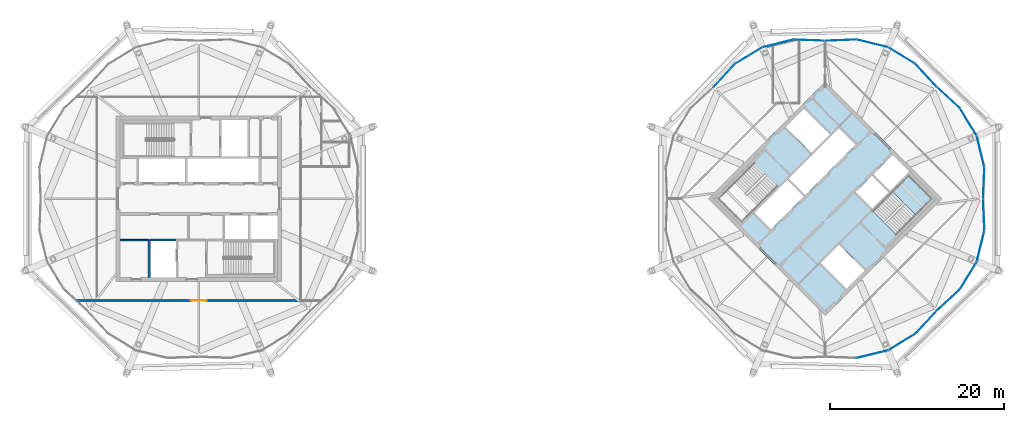
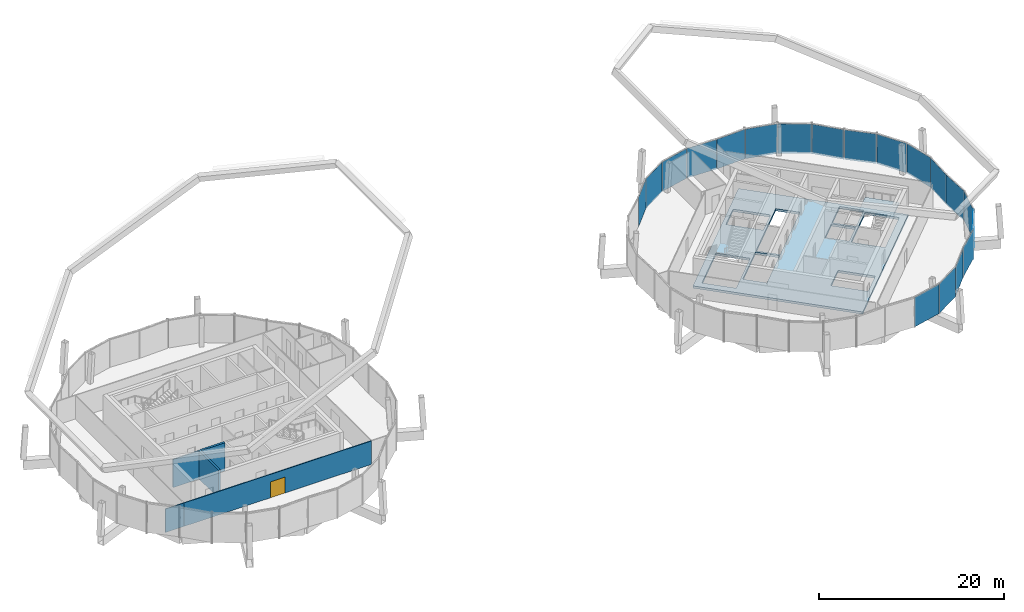
# One storey, part 27 of 34: 19 plates, 5 walls, 2 slabs, 1 door, 1 opening, 7 elements without a shape of their own.
"""IFC4 building model written with IfcOpenShell, lengths in metres."""

from ifc_helpers import new_model, si_unit, direction, frame, frame_2d, origin, origin_2d, place, context, subcontext, project, spatial, polyline, rectangle, outline, extrude, material, layer, layer_set, type_object, element, fill, aggregate, save


model = new_model("IFC4")

# Units and contexts
model_context = context("Model", 3, precision=1e-05, world=origin(), true_north=direction((0.0, 1.0)))
body_context = subcontext(model_context, "Body", "Model", "MODEL_VIEW")
ifc_project = project(units=[si_unit("LENGTHUNIT", "METRE"), si_unit("AREAUNIT", "SQUARE_METRE"), si_unit("VOLUMEUNIT", "CUBIC_METRE"), si_unit("PLANEANGLEUNIT", "RADIAN"), si_unit("MASSUNIT", "GRAM", prefix="KILO")], contexts=[model_context])

# Site, building, storey
site_placement = place(None, origin())
site = spatial("IfcSite", under=ifc_project, at=site_placement, CompositionType="ELEMENT")
building_placement = place(site_placement, origin())
building = spatial("IfcBuilding", under=site, at=building_placement, Name="Ogive Gate Towers", CompositionType="ELEMENT")
storey_placement = place(building_placement, frame((0.0, 0.0, 294.0)))
storey = spatial("IfcBuildingStorey", under=building, at=storey_placement, Name="L69", CompositionType="ELEMENT", Elevation=294.0)

# Slab
ifc_material_1 = material(Name="Concrete C40/50", Category="concrete")
ifc_layer_1 = layer(ifc_material_1, 0.300048828125)
ifc_layer_set_1 = layer_set([ifc_layer_1], Name="Core slab C40/50 300 mm")
slab_type_1 = type_object("IfcSlabType", Name="Core slab C40/50 300 mm", PredefinedType="FLOOR", material=ifc_layer_set_1)
slab_1_placement = place(storey_placement, frame((0.0, 0.0, -0.300048828125)))
element("IfcSlab", 1, at=slab_1_placement, inside=storey, type_object=slab_type_1, Name="T2 L69 core slab", PredefinedType="FLOOR", context=body_context, shape_type="SweptSolid", body=[
    extrude(outline(polyline([(36.0, -13.43505859375), (22.56494140625, 0.0), (36.0, 13.43505859375), (49.43505859375, 0.0), (36.0, -13.43505859375)]), holes=[polyline([(29.777587890625, -3.500244140625), (33.525146484375, 0.24755859375), (31.615966796875, 2.15673828125), (27.868408203125, -1.591064453125), (29.777587890625, -3.500244140625)]), polyline([(31.792724609375, 2.33349609375), (33.701904296875, 0.42431640625), (39.500244140625, 6.222412109375), (37.591064453125, 8.131591796875), (31.792724609375, 2.33349609375)]), polyline([(41.3740234375, 2.651611328125), (39.500244140625, 0.77783203125), (41.409423828125, -1.13134765625), (43.283203125, 0.742431640625), (41.3740234375, 2.651611328125)]), polyline([(45.669677734375, 3.12890625), (43.760498046875, 5.0380859375), (41.55078125, 2.828369140625), (43.4599609375, 0.919189453125), (45.669677734375, 3.12890625)]), polyline([(34.408935546875, 5.30322265625), (36.4951171875, 7.389404296875), (33.542724609375, 10.34130859375), (31.456787109375, 8.255615234375), (34.408935546875, 5.30322265625)]), polyline([(35.5048828125, -7.389404296875), (38.457275390625, -10.34130859375), (40.543212890625, -8.255615234375), (37.591064453125, -5.30322265625), (35.5048828125, -7.389404296875)]), polyline([(26.40087890625, -2.70458984375), (30.512939453125, 1.406982421875), (27.80810546875, 4.11181640625), (23.6962890625, 0.0), (26.40087890625, -2.70458984375)]), polyline([(48.3037109375, 0.0), (45.59912109375, 2.70458984375), (41.487060546875, -1.406982421875), (44.19189453125, -4.11181640625), (48.3037109375, 0.0)])]), origin(), (0.0, 0.0, 1.0), 0.300048828125),
])

# Curtain wall, plates
ifc_material_2 = material(Name="Pale metal aluminium", Category="aluminium")
curtain_wall_type = type_object("IfcCurtainWallType", Name="Crown lean wall", PredefinedType="NOTDEFINED", material=ifc_material_2)
curtain_wall_1_placement = place(storey_placement, origin())
curtain_wall_1 = element("IfcCurtainWall", 2, at=curtain_wall_1_placement, inside=storey, type_object=curtain_wall_type, Name="CW5 T2 ECW01", PredefinedType="NOTDEFINED")
ifc_material_3 = material(Name="Clear glass", Category="glass")
ifc_layer_2 = layer(ifc_material_3, 0.028076171875)
ifc_layer_set_2 = layer_set([ifc_layer_2], Name="Crown lean wall glass panel")
plate_type = type_object("IfcPlateType", Name="Crown lean wall glass panel", PredefinedType="CURTAIN_PANEL", material=ifc_layer_set_2)
plate_1_placement = place(storey_placement, frame((50.17041015625, 11.6064453125, -0.2998046875), z_axis=(0.0, 0.0, 1.0), x_axis=(0.734547567907, -0.678557197649, 0.0)))
plate_1 = element("IfcPlate", 3, at=plate_1_placement, type_object=plate_type, Name="CW5 glass panel", PredefinedType="CURTAIN_PANEL", context=body_context, shape_type="SweptSolid", body=[
    extrude(rectangle(XDim=3.5849609375, YDim=0.028076171875, at=origin_2d()), origin(), (0.0, 0.0, 1.0), 3.904052734375),
])
plate_2_placement = place(storey_placement, frame((52.46337890625, 8.794189453125, -0.2998046875), z_axis=(0.0, 0.0, 1.0), x_axis=(0.51862403999, -0.855002400666, 0.0)))
plate_2 = element("IfcPlate", 4, at=plate_2_placement, type_object=plate_type, Name="CW5 glass panel", PredefinedType="CURTAIN_PANEL", context=body_context, shape_type="SweptSolid", body=[
    extrude(rectangle(XDim=3.639892578125, YDim=0.028076171875, at=origin_2d()), origin(), (0.0, 0.0, 1.0), 3.904052734375),
])
plate_3_placement = place(storey_placement, frame((53.85986328125, 5.4228515625, -0.2998046875), z_axis=(0.0, 0.0, 1.0), x_axis=(0.237872372235, -0.971296419497, 0.0)))
plate_3 = element("IfcPlate", 5, at=plate_3_placement, type_object=plate_type, Name="CW5 glass panel", PredefinedType="CURTAIN_PANEL", context=body_context, shape_type="SweptSolid", body=[
    extrude(rectangle(XDim=3.6396484375, YDim=0.028076171875, at=origin_2d()), origin(), (0.0, 0.0, 1.0), 3.904052734375),
])
plate_4_placement = place(storey_placement, frame((54.22705078125, 1.81298828125, -0.2998046875), z_axis=(0.0, 0.0, 1.0), x_axis=(-0.039608610093, -0.999215271104, 0.0)))
plate_4 = element("IfcPlate", 6, at=plate_4_placement, type_object=plate_type, Name="CW5 glass panel", PredefinedType="CURTAIN_PANEL", context=body_context, shape_type="SweptSolid", body=[
    extrude(rectangle(XDim=3.5849609375, YDim=0.028076171875, at=origin_2d()), origin(), (0.0, 0.0, 1.0), 3.904052734375),
])
aggregate(curtain_wall_1, [plate_1, plate_2, plate_3, plate_4])

curtain_wall_2_placement = place(storey_placement, origin())
curtain_wall_2 = element("IfcCurtainWall", 7, at=curtain_wall_2_placement, inside=storey, type_object=curtain_wall_type, Name="CW5 T2 ECW02", PredefinedType="NOTDEFINED")
plate_5_placement = place(storey_placement, frame((37.81298828125, 18.22705078125, -0.2998046875), z_axis=(0.0, 0.0, 1.0), x_axis=(0.999215271104, 0.039608610093, 0.0)))
plate_5 = element("IfcPlate", 8, at=plate_5_placement, type_object=plate_type, Name="CW5 glass panel", PredefinedType="CURTAIN_PANEL", context=body_context, shape_type="SweptSolid", body=[
    extrude(rectangle(XDim=3.5849609375, YDim=0.028076171875, at=origin_2d()), origin(), (0.0, 0.0, 1.0), 3.904052734375),
])
plate_6_placement = place(storey_placement, frame((41.4228515625, 17.85986328125, -0.2998046875), z_axis=(0.0, 0.0, 1.0), x_axis=(0.971296419497, -0.237872372235, 0.0)))
plate_6 = element("IfcPlate", 9, at=plate_6_placement, type_object=plate_type, Name="CW5 glass panel", PredefinedType="CURTAIN_PANEL", context=body_context, shape_type="SweptSolid", body=[
    extrude(rectangle(XDim=3.6396484375, YDim=0.028076171875, at=origin_2d()), origin(), (0.0, 0.0, 1.0), 3.904052734375),
])
plate_7_placement = place(storey_placement, frame((44.794189453125, 16.46337890625, -0.2998046875), z_axis=(0.0, 0.0, 1.0), x_axis=(0.855002400666, -0.51862403999, 0.0)))
plate_7 = element("IfcPlate", 10, at=plate_7_placement, type_object=plate_type, Name="CW5 glass panel", PredefinedType="CURTAIN_PANEL", context=body_context, shape_type="SweptSolid", body=[
    extrude(rectangle(XDim=3.639892578125, YDim=0.028076171875, at=origin_2d()), origin(), (0.0, 0.0, 1.0), 3.904052734375),
])
plate_8_placement = place(storey_placement, frame((47.6064453125, 14.17041015625, -0.2998046875), z_axis=(0.0, 0.0, 1.0), x_axis=(0.678557197649, -0.734547567907, 0.0)))
plate_8 = element("IfcPlate", 11, at=plate_8_placement, type_object=plate_type, Name="CW5 glass panel", PredefinedType="CURTAIN_PANEL", context=body_context, shape_type="SweptSolid", body=[
    extrude(rectangle(XDim=3.5849609375, YDim=0.028076171875, at=origin_2d()), origin(), (0.0, 0.0, 1.0), 3.904052734375),
])
aggregate(curtain_wall_2, [plate_5, plate_6, plate_7, plate_8])

curtain_wall_3_placement = place(storey_placement, origin())
curtain_wall_3 = element("IfcCurtainWall", 12, at=curtain_wall_3_placement, inside=storey, type_object=curtain_wall_type, Name="CW5 T2 ECW03", PredefinedType="NOTDEFINED")
plate_9_placement = place(storey_placement, frame((24.3935546875, 14.17041015625, -0.2998046875), z_axis=(0.0, 0.0, 1.0), x_axis=(0.678557197649, 0.734547567907, 0.0)))
plate_9 = element("IfcPlate", 13, at=plate_9_placement, type_object=plate_type, Name="CW5 glass panel", PredefinedType="CURTAIN_PANEL", context=body_context, shape_type="SweptSolid", body=[
    extrude(rectangle(XDim=3.5849609375, YDim=0.028076171875, at=origin_2d()), origin(), (0.0, 0.0, 1.0), 3.904052734375),
])
plate_10_placement = place(storey_placement, frame((27.205810546875, 16.46337890625, -0.2998046875), z_axis=(0.0, 0.0, 1.0), x_axis=(0.855002400666, 0.51862403999, 0.0)))
plate_10 = element("IfcPlate", 14, at=plate_10_placement, type_object=plate_type, Name="CW5 glass panel", PredefinedType="CURTAIN_PANEL", context=body_context, shape_type="SweptSolid", body=[
    extrude(rectangle(XDim=3.639892578125, YDim=0.028076171875, at=origin_2d()), origin(), (0.0, 0.0, 1.0), 3.904052734375),
])
plate_11_placement = place(storey_placement, frame((30.5771484375, 17.85986328125, -0.2998046875), z_axis=(0.0, 0.0, 1.0), x_axis=(0.971296419497, 0.237872372235, 0.0)))
plate_11 = element("IfcPlate", 15, at=plate_11_placement, type_object=plate_type, Name="CW5 glass panel", PredefinedType="CURTAIN_PANEL", context=body_context, shape_type="SweptSolid", body=[
    extrude(rectangle(XDim=3.6396484375, YDim=0.028076171875, at=origin_2d()), origin(), (0.0, 0.0, 1.0), 3.904052734375),
])
plate_12_placement = place(storey_placement, frame((34.18701171875, 18.22705078125, -0.2998046875), z_axis=(0.0, 0.0, 1.0), x_axis=(0.999215271104, -0.039608610093, 0.0)))
plate_12 = element("IfcPlate", 16, at=plate_12_placement, type_object=plate_type, Name="CW5 glass panel", PredefinedType="CURTAIN_PANEL", context=body_context, shape_type="SweptSolid", body=[
    extrude(rectangle(XDim=3.5849609375, YDim=0.028076171875, at=origin_2d()), origin(), (0.0, 0.0, 1.0), 3.904052734375),
])
aggregate(curtain_wall_3, [plate_9, plate_10, plate_11, plate_12])

curtain_wall_4_placement = place(storey_placement, origin())
curtain_wall_4 = element("IfcCurtainWall", 17, at=curtain_wall_4_placement, inside=storey, type_object=curtain_wall_type, Name="CW5 T2 ECW07", PredefinedType="NOTDEFINED")
plate_13_placement = place(storey_placement, frame((47.6064453125, -14.17041015625, -0.2998046875), z_axis=(0.0, 0.0, 1.0), x_axis=(-0.678557197649, -0.734547567907, 0.0)))
plate_13 = element("IfcPlate", 18, at=plate_13_placement, type_object=plate_type, Name="CW5 glass panel", PredefinedType="CURTAIN_PANEL", context=body_context, shape_type="SweptSolid", body=[
    extrude(rectangle(XDim=3.5849609375, YDim=0.028076171875, at=origin_2d()), origin(), (0.0, 0.0, 1.0), 3.904052734375),
])
plate_14_placement = place(storey_placement, frame((44.794189453125, -16.46337890625, -0.2998046875), z_axis=(0.0, 0.0, 1.0), x_axis=(-0.855002400666, -0.51862403999, 0.0)))
plate_14 = element("IfcPlate", 19, at=plate_14_placement, type_object=plate_type, Name="CW5 glass panel", PredefinedType="CURTAIN_PANEL", context=body_context, shape_type="SweptSolid", body=[
    extrude(rectangle(XDim=3.639892578125, YDim=0.028076171875, at=origin_2d()), origin(), (0.0, 0.0, 1.0), 3.904052734375),
])
plate_15_placement = place(storey_placement, frame((41.4228515625, -17.85986328125, -0.2998046875), z_axis=(0.0, 0.0, 1.0), x_axis=(-0.971296419497, -0.237872372235, 0.0)))
plate_15 = element("IfcPlate", 20, at=plate_15_placement, type_object=plate_type, Name="CW5 glass panel", PredefinedType="CURTAIN_PANEL", context=body_context, shape_type="SweptSolid", body=[
    extrude(rectangle(XDim=3.6396484375, YDim=0.028076171875, at=origin_2d()), origin(), (0.0, 0.0, 1.0), 3.904052734375),
])
aggregate(curtain_wall_4, [plate_13, plate_14, plate_15])

curtain_wall_5_placement = place(storey_placement, origin())
curtain_wall_5 = element("IfcCurtainWall", 21, at=curtain_wall_5_placement, inside=storey, type_object=curtain_wall_type, Name="CW5 T2 ECW08", PredefinedType="NOTDEFINED")
plate_16_placement = place(storey_placement, frame((53.8603515625, -5.4208984375, -0.2998046875), z_axis=(0.0, 0.0, 1.0), x_axis=(-0.237872372235, -0.971296419497, 0.0)))
plate_16 = element("IfcPlate", 22, at=plate_16_placement, type_object=plate_type, Name="CW5 glass panel", PredefinedType="CURTAIN_PANEL", context=body_context, shape_type="SweptSolid", body=[
    extrude(rectangle(XDim=3.643798828125, YDim=0.028076171875, at=origin_2d()), origin(), (0.0, 0.0, 1.0), 3.904052734375),
])
plate_17_placement = place(storey_placement, frame((52.46337890625, -8.794189453125, -0.2998046875), z_axis=(0.0, 0.0, 1.0), x_axis=(-0.51862403999, -0.855002400666, 0.0)))
plate_17 = element("IfcPlate", 23, at=plate_17_placement, type_object=plate_type, Name="CW5 glass panel", PredefinedType="CURTAIN_PANEL", context=body_context, shape_type="SweptSolid", body=[
    extrude(rectangle(XDim=3.639892578125, YDim=0.028076171875, at=origin_2d()), origin(), (0.0, 0.0, 1.0), 3.904052734375),
])
plate_18_placement = place(storey_placement, frame((50.17041015625, -11.6064453125, -0.2998046875), z_axis=(0.0, 0.0, 1.0), x_axis=(-0.734547567907, -0.678557197649, 0.0)))
plate_18 = element("IfcPlate", 24, at=plate_18_placement, type_object=plate_type, Name="CW5 glass panel", PredefinedType="CURTAIN_PANEL", context=body_context, shape_type="SweptSolid", body=[
    extrude(rectangle(XDim=3.5849609375, YDim=0.028076171875, at=origin_2d()), origin(), (0.0, 0.0, 1.0), 3.904052734375),
])
aggregate(curtain_wall_5, [plate_16, plate_17, plate_18])

# Curtain wall, plate
curtain_wall_6_placement = place(storey_placement, origin())
curtain_wall_6 = element("IfcCurtainWall", 25, at=curtain_wall_6_placement, inside=storey, type_object=curtain_wall_type, Name="CW5 T2 ECW08b", PredefinedType="NOTDEFINED")
plate_19_placement = place(storey_placement, frame((54.22705078125, -1.81494140625, -0.2998046875), z_axis=(0.0, 0.0, 1.0), x_axis=(0.039608610093, -0.999215271104, 0.0)))
plate_19 = element("IfcPlate", 26, at=plate_19_placement, type_object=plate_type, Name="CW5 glass panel", PredefinedType="CURTAIN_PANEL", context=body_context, shape_type="SweptSolid", body=[
    extrude(rectangle(XDim=3.5888671875, YDim=0.028076171875, at=origin_2d()), origin(), (0.0, 0.0, 1.0), 3.904052734375),
])
aggregate(curtain_wall_6, [plate_19])

# Stair, slab
stair_type = type_object("IfcStairType", Name="Escape stair 1840 wide", PredefinedType="HALF_TURN_STAIR", material=ifc_material_1)
stair_placement = place(storey_placement, origin())
stair = element("IfcStair", 27, at=stair_placement, inside=storey, type_object=stair_type, Name="L69 Escape stair 2", PredefinedType="HALF_TURN_STAIR")
ifc_layer_3 = layer(ifc_material_1, 0.199951171875)
ifc_layer_set_3 = layer_set([ifc_layer_3], Name="Stair landing 200 mm")
slab_type_2 = type_object("IfcSlabType", Name="Stair landing 200 mm", PredefinedType="LANDING", material=ifc_layer_set_3)
slab_2_placement = place(storey_placement, frame((0.0, 0.0, 1.800048828125)))
slab_2 = element("IfcSlab", 28, at=slab_2_placement, type_object=slab_type_2, Name="ST2 landing 1", PredefinedType="LANDING", context=body_context, shape_type="SweptSolid", body=[
    extrude(outline(polyline([(46.413818359375, -1.8896484375), (48.3037109375, 0.0), (45.598876953125, 2.70458984375), (43.709228515625, 0.81494140625), (46.413818359375, -1.8896484375)])), origin(), (0.0, 0.0, 1.0), 0.199951171875),
])
aggregate(stair, [slab_2])

# Wall
ifc_material_4 = material(Name="Gypsum board partition")
ifc_layer_4 = layer(ifc_material_4, 0.10009765625)
ifc_layer_set_4 = layer_set([ifc_layer_4], Name="Partition wall 100")
wall_type_1 = type_object("IfcWallType", Name="Partition wall 100", PredefinedType="PARTITIONING", material=ifc_layer_set_4)
wall_1_placement = place(storey_placement, frame((-50.02490234375, -11.699951171875, 0.0), z_axis=(0.0, 0.0, 1.0), x_axis=(1.0, 0.0, 0.0)))
element("IfcWall", 29, at=wall_1_placement, inside=storey, type_object=wall_type_1, Name="L69 partition 014", PredefinedType="PARTITIONING", context=body_context, shape_type="SweptSolid", body=[
    extrude(rectangle(XDim=2.324951171875, YDim=0.10009765625, at=frame_2d((1.16259765625, 0.0))), origin(), (0.0, 0.0, 1.0), 3.10009765625),
])

# Wall, opening, door
wall_2_placement = place(storey_placement, frame((-47.699951171875, -11.699951171875, 0.0), z_axis=(0.0, 0.0, 1.0), x_axis=(1.0, 0.0, 0.0)))
wall_2 = element("IfcWall", 30, at=wall_2_placement, inside=storey, type_object=wall_type_1, Name="L69 partition 016", PredefinedType="PARTITIONING", context=body_context, shape_type="SweptSolid", body=[
    extrude(rectangle(XDim=23.39990234375, YDim=0.10009765625, at=frame_2d((11.699951171875, 0.0))), origin(), (0.0, 0.0, 1.0), 3.10009765625),
])
opening_placement = place(wall_2_placement, frame((10.800048828125, 0.0, 0.0)))
opening = element("IfcOpeningElement", 31, at=opening_placement, cuts=wall_2, Name="Opening PO301", PredefinedType="OPENING", context=body_context, shape_type="SweptSolid", body=[
    extrude(rectangle(XDim=1.800048828125, YDim=2.10009765625, at=frame_2d((0.89990234375, 1.050048828125))), frame((0.0, 0.06005859375, 0.0), z_axis=(0.0, -1.0, 0.0), x_axis=(1.0, 0.0, 0.0)), (0.0, 0.0, 1.0), 0.1201171875),
])
ifc_material_5 = material(Name="Timber door", Category="wood")
door_type = type_object("IfcDoorType", Name="Double door 1800 x 2100", OperationType="NOTDEFINED", PredefinedType="DOOR", material=ifc_material_5)
door_placement = place(opening_placement, origin())
door = element("IfcDoor", 32, at=door_placement, inside=storey, type_object=door_type, Name="Door PO301", OperationType="DOUBLE_DOOR_DOUBLE_SWING", OverallHeight=2.10009765625, OverallWidth=1.800048828125, PredefinedType="DOOR", context=body_context, shape_type="SweptSolid", body=[
    extrude(rectangle(XDim=1.800048828125, YDim=2.10009765625, at=frame_2d((0.89990234375, 1.050048828125))), frame((0.0, 0.02490234375, 0.0), z_axis=(0.0, -1.0, 0.0), x_axis=(1.0, 0.0, 0.0)), (0.0, 0.0, 1.0), 0.050048828125),
])
fill(opening, door)

# Walls
ifc_layer_5 = layer(ifc_material_4, 0.14990234375)
ifc_layer_set_5 = layer_set([ifc_layer_5], Name="Room partition 150 mm")
wall_type_2 = type_object("IfcWallType", Name="Room partition 150 mm", PredefinedType="PARTITIONING", material=ifc_layer_set_5)
wall_3_placement = place(storey_placement, frame((-45.050048828125, -4.75, 0.0), z_axis=(0.0, 0.0, 1.0), x_axis=(1.0, 0.0, 0.0)))
element("IfcWall", 33, at=wall_3_placement, inside=storey, type_object=wall_type_2, Name="T1 L69 Room partition 150 mm", PredefinedType="PARTITIONING", context=body_context, shape_type="SweptSolid", body=[
    extrude(rectangle(XDim=3.22509765625, YDim=0.14990234375, at=frame_2d((1.612548828125, 0.0))), origin(), (0.0, 0.0, 1.0), 3.699951171875),
])
ifc_material_6 = material(Name="Concrete C60/75", Category="concrete")
ifc_layer_6 = layer(ifc_material_6, 0.25)
ifc_layer_set_6 = layer_set([ifc_layer_6], Name="Shaft wall 250 mm")
wall_type_3 = type_object("IfcWallType", Name="Shaft wall 250 mm", PredefinedType="SHEAR", material=ifc_layer_set_6)
wall_4_placement = place(storey_placement, frame((-41.574951171875, -4.75, 0.0), z_axis=(0.0, 0.0, 1.0), x_axis=(1.0, 0.0, 0.0)))
element("IfcWall", 34, at=wall_4_placement, inside=storey, type_object=wall_type_3, Name="T1 L69 Shaft wall 250 mm", PredefinedType="SHEAR", context=body_context, shape_type="SweptSolid", body=[
    extrude(rectangle(XDim=2.949951171875, YDim=0.25, at=frame_2d((1.47509765625, 0.0))), origin(), (0.0, 0.0, 1.0), 3.699951171875),
])
wall_5_placement = place(storey_placement, frame((-41.699951171875, -9.050048828125, 0.0), z_axis=(0.0, 0.0, 1.0), x_axis=(0.0, 1.0, 0.0)))
element("IfcWall", 35, at=wall_5_placement, inside=storey, type_object=wall_type_3, Name="T1 L69 Shaft wall 250 mm", PredefinedType="SHEAR", context=body_context, shape_type="SweptSolid", body=[
    extrude(rectangle(XDim=4.375, YDim=0.25, at=frame_2d((2.1875, 0.0))), origin(), (0.0, 0.0, 1.0), 3.699951171875),
])

save(model, "model.ifc")
